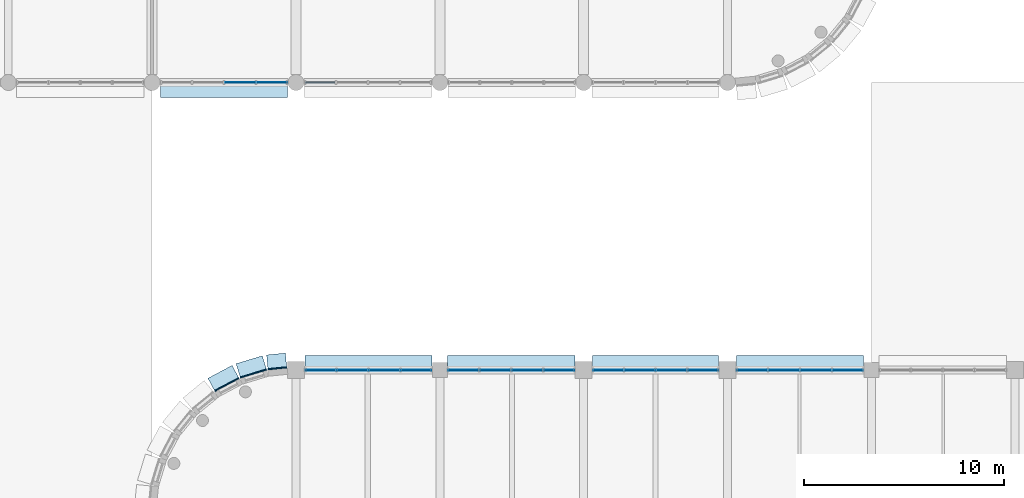
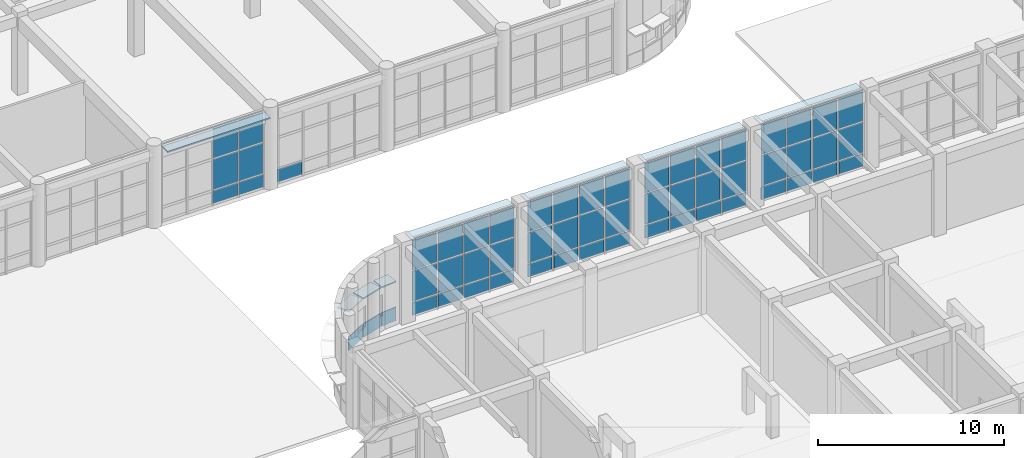
# One storey, part 117 of 160: 66 plates, 6 elements without a shape of their own.
"""IFC4 building model written with IfcOpenShell, lengths in metres."""

from ifc_helpers import new_model, si_unit, direction, frame, origin, origin_2d, place, context, subcontext, project, spatial, rectangle, extrude, material, layer, layer_set, type_object, element, aggregate, save


model = new_model("IFC4")

# Units and contexts
model_context = context("Model", 3, precision=1e-05, world=origin(), true_north=direction((0.0, 1.0)))
body_context = subcontext(model_context, "Body", "Model", "MODEL_VIEW")
ifc_project = project(units=[si_unit("LENGTHUNIT", "METRE"), si_unit("AREAUNIT", "SQUARE_METRE"), si_unit("VOLUMEUNIT", "CUBIC_METRE"), si_unit("PLANEANGLEUNIT", "RADIAN"), si_unit("MASSUNIT", "GRAM", prefix="KILO")], contexts=[model_context])

# Site, building, storey
site_placement = place(None, origin())
site = spatial("IfcSite", under=ifc_project, at=site_placement, CompositionType="ELEMENT")
building_placement = place(site_placement, origin())
building = spatial("IfcBuilding", under=site, at=building_placement, Name="Thalmaran Polytechnic", CompositionType="ELEMENT")
storey_placement = place(building_placement, origin())
storey = spatial("IfcBuildingStorey", under=building, at=storey_placement, Name="L00", CompositionType="ELEMENT", Elevation=0.0)

# Plates
ifc_material_1 = material(Name="Anodised aluminium spandrel band", Category="aluminium")
ifc_layer_1 = layer(ifc_material_1, 0.054931640625, Name="Anodised aluminium spandrel band")
ifc_layer_set_1 = layer_set([ifc_layer_1], Name="Anodised aluminium spandrel band")
plate_type_1 = type_object("IfcPlateType", Name="PT-BD01", PredefinedType="SHEET", material=ifc_layer_set_1)
for number, where, z_axis, x_axis, name in (
    (1, (61.33740234375, 35.278076171875, 0.02001953125), (0.0, 0.0, 1.0), (0.881921264348, 0.471396736826, 0.0), "Streamline Horizontal Spandrel Band L00-161"),
    (2, (62.667724609375, 35.8291015625, 0.02001953125), (0.0, 0.0, 1.0), (0.956940335732, 0.290284677254, 0.0), "Streamline Horizontal Spandrel Band L00-162"),
):
    element("IfcPlate", number, at=place(storey_placement, frame(where, z_axis=z_axis, x_axis=x_axis)), inside=storey, type_object=plate_type_1, Name=name, PredefinedType="SHEET", context=body_context, shape_type="SweptSolid", body=[
        extrude(rectangle(XDim=1.371337890625, YDim=0.054931640625, at=origin_2d()), origin(), (0.0, 0.0, 1.0), 0.8798828125),
    ])
plate_1_placement = place(storey_placement, frame((63.86865234375, 36.089111328125, 0.02001953125), z_axis=(0.0, 0.0, 1.0), x_axis=(0.995184726672, 0.09801714033, 0.0)))
element("IfcPlate", 3, at=plate_1_placement, inside=storey, type_object=plate_type_1, Name="Streamline Horizontal Spandrel Band L00-163", PredefinedType="SHEET", context=body_context, shape_type="SweptSolid", body=[
    extrude(rectangle(XDim=0.9462890625, YDim=0.054931640625, at=origin_2d()), origin(), (0.0, 0.0, 1.0), 0.8798828125),
])
ifc_material_2 = material(Name="Anodised aluminium sun-hood eyebrow", Category="aluminium")
ifc_layer_2 = layer(ifc_material_2, 0.0849609375, Name="Anodised aluminium sun-hood eyebrow")
ifc_layer_set_2 = layer_set([ifc_layer_2], Name="Anodised aluminium sun-hood eyebrow")
plate_type_2 = type_object("IfcPlateType", Name="PT-EB01", PredefinedType="SHEET", material=ifc_layer_set_2)
plate_2_placement = place(storey_placement, frame((61.199951171875, 50.0400390625, 4.987548828125), z_axis=(0.0, 0.0, 1.0), x_axis=(-1.0, 0.0, 0.0)))
element("IfcPlate", 4, at=plate_2_placement, inside=storey, type_object=plate_type_2, Name="Streamline Sun-Hood Eyebrow L00-CW039", PredefinedType="SHEET", context=body_context, shape_type="SweptSolid", body=[
    extrude(rectangle(XDim=6.360107421875, YDim=0.760009765625, at=origin_2d()), origin(), (0.0, 0.0, 1.0), 0.0849609375),
])
for number, where, z_axis, x_axis, name in (
    (5, (61.1748046875, 35.582275390625, 2.517578125), (0.0, 0.0, 1.0), (0.881921264348, 0.471396736826, 0.0), "Streamline Sun-Hood Eyebrow L00-161"),
    (6, (62.567626953125, 36.1591796875, 2.517578125), (0.0, 0.0, 1.0), (0.956940335732, 0.290284677254, 0.0), "Streamline Sun-Hood Eyebrow L00-162"),
):
    element("IfcPlate", number, at=place(storey_placement, frame(where, z_axis=z_axis, x_axis=x_axis)), inside=storey, type_object=plate_type_2, Name=name, PredefinedType="SHEET", context=body_context, shape_type="SweptSolid", body=[
        extrude(rectangle(XDim=1.371337890625, YDim=0.760009765625, at=origin_2d()), origin(), (0.0, 0.0, 1.0), 0.0849609375),
    ])
plate_3_placement = place(storey_placement, frame((63.834716796875, 36.432373046875, 2.517578125), z_axis=(0.0, 0.0, 1.0), x_axis=(0.995184726672, 0.09801714033, 0.0)))
element("IfcPlate", 7, at=plate_3_placement, inside=storey, type_object=plate_type_2, Name="Streamline Sun-Hood Eyebrow L00-163", PredefinedType="SHEET", context=body_context, shape_type="SweptSolid", body=[
    extrude(rectangle(XDim=0.9462890625, YDim=0.760009765625, at=origin_2d()), origin(), (0.0, 0.0, 1.0), 0.0849609375),
])
for number, where, z_axis, x_axis, name in (
    (8, (68.425048828125, 36.360107421875, 4.987548828125), (0.0, 0.0, 1.0), (1.0, 0.0, 0.0), "Streamline Sun-Hood Eyebrow L00-CW055"),
    (9, (75.574951171875, 36.360107421875, 4.987548828125), (0.0, 0.0, 1.0), (1.0, 0.0, 0.0), "Streamline Sun-Hood Eyebrow L00-CW056"),
):
    element("IfcPlate", number, at=place(storey_placement, frame(where, z_axis=z_axis, x_axis=x_axis)), inside=storey, type_object=plate_type_2, Name=name, PredefinedType="SHEET", context=body_context, shape_type="SweptSolid", body=[
        extrude(rectangle(XDim=6.360107421875, YDim=0.760009765625, at=origin_2d()), origin(), (0.0, 0.0, 1.0), 0.0849609375),
    ])
plate_4_placement = place(storey_placement, frame((82.800048828125, 36.360107421875, 4.987548828125), z_axis=(0.0, 0.0, 1.0), x_axis=(1.0, 0.0, 0.0)))
element("IfcPlate", 10, at=plate_4_placement, inside=storey, type_object=plate_type_2, Name="Streamline Sun-Hood Eyebrow L00-CW057", PredefinedType="SHEET", context=body_context, shape_type="SweptSolid", body=[
    extrude(rectangle(XDim=6.31005859375, YDim=0.760009765625, at=origin_2d()), origin(), (0.0, 0.0, 1.0), 0.0849609375),
])
plate_5_placement = place(storey_placement, frame((90.02490234375, 36.360107421875, 4.987548828125), z_axis=(0.0, 0.0, 1.0), x_axis=(1.0, 0.0, 0.0)))
element("IfcPlate", 11, at=plate_5_placement, inside=storey, type_object=plate_type_2, Name="Streamline Sun-Hood Eyebrow L00-CW058", PredefinedType="SHEET", context=body_context, shape_type="SweptSolid", body=[
    extrude(rectangle(XDim=6.360107421875, YDim=0.760009765625, at=origin_2d()), origin(), (0.0, 0.0, 1.0), 0.0849609375),
])

# Curtain wall, plates
ifc_material_3 = material(Name="Aluminium 6063-T6", Category="aluminium")
curtain_wall_type_1 = type_object("IfcCurtainWallType", Name="CW-UC01", PredefinedType="USERDEFINED", material=ifc_material_3)
curtain_wall_1_placement = place(storey_placement, origin())
curtain_wall_1 = element("IfcCurtainWall", 12, at=curtain_wall_1_placement, inside=storey, type_object=curtain_wall_type_1, Name="Curtain Wall CW-L00-055", ObjectType="UNITISED CURTAIN WALL", PredefinedType="USERDEFINED")
ifc_material_4 = material(Name="Solar-control double low-E glass", Category="glass")
ifc_layer_3 = layer(ifc_material_4, 0.035888671875, Name="Solar-control double low-E glass")
ifc_layer_set_3 = layer_set([ifc_layer_3], Name="Solar-control double low-E glass")
plate_type_3 = type_object("IfcPlateType", Name="PT-GL01", PredefinedType="CURTAIN_PANEL", material=ifc_layer_set_3)
plate_6_placement = place(storey_placement, frame((66.02490234375, 36.0, 1.0), z_axis=(0.0, 0.0, 1.0), x_axis=(1.0, 0.0, 0.0)))
plate_6 = element("IfcPlate", 13, at=plate_6_placement, type_object=plate_type_3, Name="CW-L00-055 Vision Panel 1-2", PredefinedType="CURTAIN_PANEL", context=body_context, shape_type="SweptSolid", body=[
    extrude(rectangle(XDim=1.5, YDim=0.035888671875, at=origin_2d()), origin(), (0.0, 0.0, 1.0), 1.985107421875),
])
plate_7_placement = place(storey_placement, frame((66.02490234375, 36.0, 3.06494140625), z_axis=(0.0, 0.0, 1.0), x_axis=(1.0, 0.0, 0.0)))
plate_7 = element("IfcPlate", 14, at=plate_7_placement, type_object=plate_type_3, Name="CW-L00-055 Vision Panel 1-3", PredefinedType="CURTAIN_PANEL", context=body_context, shape_type="SweptSolid", body=[
    extrude(rectangle(XDim=1.5, YDim=0.035888671875, at=origin_2d()), origin(), (0.0, 0.0, 1.0), 1.925048828125),
])
plate_8_placement = place(storey_placement, frame((67.625, 36.0, 1.0), z_axis=(0.0, 0.0, 1.0), x_axis=(1.0, 0.0, 0.0)))
plate_8 = element("IfcPlate", 15, at=plate_8_placement, type_object=plate_type_3, Name="CW-L00-055 Vision Panel 2-2", PredefinedType="CURTAIN_PANEL", context=body_context, shape_type="SweptSolid", body=[
    extrude(rectangle(XDim=1.5, YDim=0.035888671875, at=origin_2d()), origin(), (0.0, 0.0, 1.0), 1.985107421875),
])
plate_9_placement = place(storey_placement, frame((67.625, 36.0, 3.06494140625), z_axis=(0.0, 0.0, 1.0), x_axis=(1.0, 0.0, 0.0)))
plate_9 = element("IfcPlate", 16, at=plate_9_placement, type_object=plate_type_3, Name="CW-L00-055 Vision Panel 2-3", PredefinedType="CURTAIN_PANEL", context=body_context, shape_type="SweptSolid", body=[
    extrude(rectangle(XDim=1.5, YDim=0.035888671875, at=origin_2d()), origin(), (0.0, 0.0, 1.0), 1.925048828125),
])
plate_10_placement = place(storey_placement, frame((69.22509765625, 36.0, 1.0), z_axis=(0.0, 0.0, 1.0), x_axis=(1.0, 0.0, 0.0)))
plate_10 = element("IfcPlate", 17, at=plate_10_placement, type_object=plate_type_3, Name="CW-L00-055 Vision Panel 3-2", PredefinedType="CURTAIN_PANEL", context=body_context, shape_type="SweptSolid", body=[
    extrude(rectangle(XDim=1.5, YDim=0.035888671875, at=origin_2d()), origin(), (0.0, 0.0, 1.0), 1.985107421875),
])
plate_11_placement = place(storey_placement, frame((69.22509765625, 36.0, 3.06494140625), z_axis=(0.0, 0.0, 1.0), x_axis=(1.0, 0.0, 0.0)))
plate_11 = element("IfcPlate", 18, at=plate_11_placement, type_object=plate_type_3, Name="CW-L00-055 Vision Panel 3-3", PredefinedType="CURTAIN_PANEL", context=body_context, shape_type="SweptSolid", body=[
    extrude(rectangle(XDim=1.5, YDim=0.035888671875, at=origin_2d()), origin(), (0.0, 0.0, 1.0), 1.925048828125),
])
plate_12_placement = place(storey_placement, frame((70.824951171875, 36.0, 1.0), z_axis=(0.0, 0.0, 1.0), x_axis=(1.0, 0.0, 0.0)))
plate_12 = element("IfcPlate", 19, at=plate_12_placement, type_object=plate_type_3, Name="CW-L00-055 Vision Panel 4-2", PredefinedType="CURTAIN_PANEL", context=body_context, shape_type="SweptSolid", body=[
    extrude(rectangle(XDim=1.5, YDim=0.035888671875, at=origin_2d()), origin(), (0.0, 0.0, 1.0), 1.985107421875),
])
plate_13_placement = place(storey_placement, frame((70.824951171875, 36.0, 3.06494140625), z_axis=(0.0, 0.0, 1.0), x_axis=(1.0, 0.0, 0.0)))
plate_13 = element("IfcPlate", 20, at=plate_13_placement, type_object=plate_type_3, Name="CW-L00-055 Vision Panel 4-3", PredefinedType="CURTAIN_PANEL", context=body_context, shape_type="SweptSolid", body=[
    extrude(rectangle(XDim=1.5, YDim=0.035888671875, at=origin_2d()), origin(), (0.0, 0.0, 1.0), 1.925048828125),
])

curtain_wall_2_placement = place(storey_placement, origin())
curtain_wall_2 = element("IfcCurtainWall", 21, at=curtain_wall_2_placement, inside=storey, type_object=curtain_wall_type_1, Name="Curtain Wall CW-L00-056", ObjectType="UNITISED CURTAIN WALL", PredefinedType="USERDEFINED")
ifc_layer_4 = layer(ifc_material_4, 0.035888671875, Name="Solar-control double low-E glass")
ifc_layer_set_4 = layer_set([ifc_layer_4], Name="Solar-control double low-E glass")
plate_type_4 = type_object("IfcPlateType", Name="PT-GL02", PredefinedType="CURTAIN_PANEL", material=ifc_layer_set_4)
plate_14_placement = place(storey_placement, frame((73.175048828125, 36.0, 1.0), z_axis=(0.0, 0.0, 1.0), x_axis=(1.0, 0.0, 0.0)))
plate_14 = element("IfcPlate", 22, at=plate_14_placement, type_object=plate_type_4, Name="CW-L00-056 Vision Panel 1-2", PredefinedType="CURTAIN_PANEL", context=body_context, shape_type="SweptSolid", body=[
    extrude(rectangle(XDim=1.5, YDim=0.035888671875, at=origin_2d()), origin(), (0.0, 0.0, 1.0), 1.985107421875),
])
plate_15_placement = place(storey_placement, frame((73.175048828125, 36.0, 3.06494140625), z_axis=(0.0, 0.0, 1.0), x_axis=(1.0, 0.0, 0.0)))
plate_15 = element("IfcPlate", 23, at=plate_15_placement, type_object=plate_type_4, Name="CW-L00-056 Vision Panel 1-3", PredefinedType="CURTAIN_PANEL", context=body_context, shape_type="SweptSolid", body=[
    extrude(rectangle(XDim=1.5, YDim=0.035888671875, at=origin_2d()), origin(), (0.0, 0.0, 1.0), 1.925048828125),
])
plate_16_placement = place(storey_placement, frame((74.77490234375, 36.0, 1.0), z_axis=(0.0, 0.0, 1.0), x_axis=(1.0, 0.0, 0.0)))
plate_16 = element("IfcPlate", 24, at=plate_16_placement, type_object=plate_type_4, Name="CW-L00-056 Vision Panel 2-2", PredefinedType="CURTAIN_PANEL", context=body_context, shape_type="SweptSolid", body=[
    extrude(rectangle(XDim=1.5, YDim=0.035888671875, at=origin_2d()), origin(), (0.0, 0.0, 1.0), 1.985107421875),
])
plate_17_placement = place(storey_placement, frame((74.77490234375, 36.0, 3.06494140625), z_axis=(0.0, 0.0, 1.0), x_axis=(1.0, 0.0, 0.0)))
plate_17 = element("IfcPlate", 25, at=plate_17_placement, type_object=plate_type_4, Name="CW-L00-056 Vision Panel 2-3", PredefinedType="CURTAIN_PANEL", context=body_context, shape_type="SweptSolid", body=[
    extrude(rectangle(XDim=1.5, YDim=0.035888671875, at=origin_2d()), origin(), (0.0, 0.0, 1.0), 1.925048828125),
])
plate_18_placement = place(storey_placement, frame((76.375, 36.0, 1.0), z_axis=(0.0, 0.0, 1.0), x_axis=(1.0, 0.0, 0.0)))
plate_18 = element("IfcPlate", 26, at=plate_18_placement, type_object=plate_type_4, Name="CW-L00-056 Vision Panel 3-2", PredefinedType="CURTAIN_PANEL", context=body_context, shape_type="SweptSolid", body=[
    extrude(rectangle(XDim=1.5, YDim=0.035888671875, at=origin_2d()), origin(), (0.0, 0.0, 1.0), 1.985107421875),
])
plate_19_placement = place(storey_placement, frame((76.375, 36.0, 3.06494140625), z_axis=(0.0, 0.0, 1.0), x_axis=(1.0, 0.0, 0.0)))
plate_19 = element("IfcPlate", 27, at=plate_19_placement, type_object=plate_type_4, Name="CW-L00-056 Vision Panel 3-3", PredefinedType="CURTAIN_PANEL", context=body_context, shape_type="SweptSolid", body=[
    extrude(rectangle(XDim=1.5, YDim=0.035888671875, at=origin_2d()), origin(), (0.0, 0.0, 1.0), 1.925048828125),
])
plate_20_placement = place(storey_placement, frame((77.97509765625, 36.0, 1.0), z_axis=(0.0, 0.0, 1.0), x_axis=(1.0, 0.0, 0.0)))
plate_20 = element("IfcPlate", 28, at=plate_20_placement, type_object=plate_type_4, Name="CW-L00-056 Vision Panel 4-2", PredefinedType="CURTAIN_PANEL", context=body_context, shape_type="SweptSolid", body=[
    extrude(rectangle(XDim=1.5, YDim=0.035888671875, at=origin_2d()), origin(), (0.0, 0.0, 1.0), 1.985107421875),
])
plate_21_placement = place(storey_placement, frame((77.97509765625, 36.0, 3.06494140625), z_axis=(0.0, 0.0, 1.0), x_axis=(1.0, 0.0, 0.0)))
plate_21 = element("IfcPlate", 29, at=plate_21_placement, type_object=plate_type_4, Name="CW-L00-056 Vision Panel 4-3", PredefinedType="CURTAIN_PANEL", context=body_context, shape_type="SweptSolid", body=[
    extrude(rectangle(XDim=1.5, YDim=0.035888671875, at=origin_2d()), origin(), (0.0, 0.0, 1.0), 1.925048828125),
])

curtain_wall_3_placement = place(storey_placement, origin())
curtain_wall_3 = element("IfcCurtainWall", 30, at=curtain_wall_3_placement, inside=storey, type_object=curtain_wall_type_1, Name="Curtain Wall CW-L00-057", ObjectType="UNITISED CURTAIN WALL", PredefinedType="USERDEFINED")
ifc_layer_5 = layer(ifc_material_4, 0.035888671875, Name="Solar-control double low-E glass")
ifc_layer_set_5 = layer_set([ifc_layer_5], Name="Solar-control double low-E glass")
plate_type_5 = type_object("IfcPlateType", Name="PT-GL03", PredefinedType="CURTAIN_PANEL", material=ifc_layer_set_5)
plate_22_placement = place(storey_placement, frame((80.418701171875, 36.0, 1.0), z_axis=(0.0, 0.0, 1.0), x_axis=(1.0, 0.0, 0.0)))
plate_22 = element("IfcPlate", 31, at=plate_22_placement, type_object=plate_type_5, Name="CW-L00-057 Vision Panel 1-2", PredefinedType="CURTAIN_PANEL", context=body_context, shape_type="SweptSolid", body=[
    extrude(rectangle(XDim=1.487548828125, YDim=0.035888671875, at=origin_2d()), origin(), (0.0, 0.0, 1.0), 1.985107421875),
])
plate_23_placement = place(storey_placement, frame((80.418701171875, 36.0, 3.06494140625), z_axis=(0.0, 0.0, 1.0), x_axis=(1.0, 0.0, 0.0)))
plate_23 = element("IfcPlate", 32, at=plate_23_placement, type_object=plate_type_5, Name="CW-L00-057 Vision Panel 1-3", PredefinedType="CURTAIN_PANEL", context=body_context, shape_type="SweptSolid", body=[
    extrude(rectangle(XDim=1.487548828125, YDim=0.035888671875, at=origin_2d()), origin(), (0.0, 0.0, 1.0), 1.925048828125),
])
plate_24_placement = place(storey_placement, frame((82.00634765625, 36.0, 1.0), z_axis=(0.0, 0.0, 1.0), x_axis=(1.0, 0.0, 0.0)))
plate_24 = element("IfcPlate", 33, at=plate_24_placement, type_object=plate_type_5, Name="CW-L00-057 Vision Panel 2-2", PredefinedType="CURTAIN_PANEL", context=body_context, shape_type="SweptSolid", body=[
    extrude(rectangle(XDim=1.487548828125, YDim=0.035888671875, at=origin_2d()), origin(), (0.0, 0.0, 1.0), 1.985107421875),
])
plate_25_placement = place(storey_placement, frame((82.00634765625, 36.0, 3.06494140625), z_axis=(0.0, 0.0, 1.0), x_axis=(1.0, 0.0, 0.0)))
plate_25 = element("IfcPlate", 34, at=plate_25_placement, type_object=plate_type_5, Name="CW-L00-057 Vision Panel 2-3", PredefinedType="CURTAIN_PANEL", context=body_context, shape_type="SweptSolid", body=[
    extrude(rectangle(XDim=1.487548828125, YDim=0.035888671875, at=origin_2d()), origin(), (0.0, 0.0, 1.0), 1.925048828125),
])
plate_26_placement = place(storey_placement, frame((83.59375, 36.0, 1.0), z_axis=(0.0, 0.0, 1.0), x_axis=(1.0, 0.0, 0.0)))
plate_26 = element("IfcPlate", 35, at=plate_26_placement, type_object=plate_type_5, Name="CW-L00-057 Vision Panel 3-2", PredefinedType="CURTAIN_PANEL", context=body_context, shape_type="SweptSolid", body=[
    extrude(rectangle(XDim=1.487548828125, YDim=0.035888671875, at=origin_2d()), origin(), (0.0, 0.0, 1.0), 1.985107421875),
])
plate_27_placement = place(storey_placement, frame((83.59375, 36.0, 3.06494140625), z_axis=(0.0, 0.0, 1.0), x_axis=(1.0, 0.0, 0.0)))
plate_27 = element("IfcPlate", 36, at=plate_27_placement, type_object=plate_type_5, Name="CW-L00-057 Vision Panel 3-3", PredefinedType="CURTAIN_PANEL", context=body_context, shape_type="SweptSolid", body=[
    extrude(rectangle(XDim=1.487548828125, YDim=0.035888671875, at=origin_2d()), origin(), (0.0, 0.0, 1.0), 1.925048828125),
])
plate_28_placement = place(storey_placement, frame((85.18115234375, 36.0, 1.0), z_axis=(0.0, 0.0, 1.0), x_axis=(1.0, 0.0, 0.0)))
plate_28 = element("IfcPlate", 37, at=plate_28_placement, type_object=plate_type_5, Name="CW-L00-057 Vision Panel 4-2", PredefinedType="CURTAIN_PANEL", context=body_context, shape_type="SweptSolid", body=[
    extrude(rectangle(XDim=1.487548828125, YDim=0.035888671875, at=origin_2d()), origin(), (0.0, 0.0, 1.0), 1.985107421875),
])
plate_29_placement = place(storey_placement, frame((85.18115234375, 36.0, 3.06494140625), z_axis=(0.0, 0.0, 1.0), x_axis=(1.0, 0.0, 0.0)))
plate_29 = element("IfcPlate", 38, at=plate_29_placement, type_object=plate_type_5, Name="CW-L00-057 Vision Panel 4-3", PredefinedType="CURTAIN_PANEL", context=body_context, shape_type="SweptSolid", body=[
    extrude(rectangle(XDim=1.487548828125, YDim=0.035888671875, at=origin_2d()), origin(), (0.0, 0.0, 1.0), 1.925048828125),
])

curtain_wall_4_placement = place(storey_placement, origin())
curtain_wall_4 = element("IfcCurtainWall", 39, at=curtain_wall_4_placement, inside=storey, type_object=curtain_wall_type_1, Name="Curtain Wall CW-L00-058", ObjectType="UNITISED CURTAIN WALL", PredefinedType="USERDEFINED")
ifc_layer_6 = layer(ifc_material_4, 0.035888671875, Name="Solar-control double low-E glass")
ifc_layer_set_6 = layer_set([ifc_layer_6], Name="Solar-control double low-E glass")
plate_type_6 = type_object("IfcPlateType", Name="PT-GL04", PredefinedType="CURTAIN_PANEL", material=ifc_layer_set_6)
plate_30_placement = place(storey_placement, frame((87.625, 36.0, 1.0), z_axis=(0.0, 0.0, 1.0), x_axis=(1.0, 0.0, 0.0)))
plate_30 = element("IfcPlate", 40, at=plate_30_placement, type_object=plate_type_6, Name="CW-L00-058 Vision Panel 1-2", PredefinedType="CURTAIN_PANEL", context=body_context, shape_type="SweptSolid", body=[
    extrude(rectangle(XDim=1.5, YDim=0.035888671875, at=origin_2d()), origin(), (0.0, 0.0, 1.0), 1.985107421875),
])
plate_31_placement = place(storey_placement, frame((87.625, 36.0, 3.06494140625), z_axis=(0.0, 0.0, 1.0), x_axis=(1.0, 0.0, 0.0)))
plate_31 = element("IfcPlate", 41, at=plate_31_placement, type_object=plate_type_6, Name="CW-L00-058 Vision Panel 1-3", PredefinedType="CURTAIN_PANEL", context=body_context, shape_type="SweptSolid", body=[
    extrude(rectangle(XDim=1.5, YDim=0.035888671875, at=origin_2d()), origin(), (0.0, 0.0, 1.0), 1.925048828125),
])
plate_32_placement = place(storey_placement, frame((89.22509765625, 36.0, 1.0), z_axis=(0.0, 0.0, 1.0), x_axis=(1.0, 0.0, 0.0)))
plate_32 = element("IfcPlate", 42, at=plate_32_placement, type_object=plate_type_6, Name="CW-L00-058 Vision Panel 2-2", PredefinedType="CURTAIN_PANEL", context=body_context, shape_type="SweptSolid", body=[
    extrude(rectangle(XDim=1.5, YDim=0.035888671875, at=origin_2d()), origin(), (0.0, 0.0, 1.0), 1.985107421875),
])
plate_33_placement = place(storey_placement, frame((89.22509765625, 36.0, 3.06494140625), z_axis=(0.0, 0.0, 1.0), x_axis=(1.0, 0.0, 0.0)))
plate_33 = element("IfcPlate", 43, at=plate_33_placement, type_object=plate_type_6, Name="CW-L00-058 Vision Panel 2-3", PredefinedType="CURTAIN_PANEL", context=body_context, shape_type="SweptSolid", body=[
    extrude(rectangle(XDim=1.5, YDim=0.035888671875, at=origin_2d()), origin(), (0.0, 0.0, 1.0), 1.925048828125),
])
plate_34_placement = place(storey_placement, frame((90.824951171875, 36.0, 1.0), z_axis=(0.0, 0.0, 1.0), x_axis=(1.0, 0.0, 0.0)))
plate_34 = element("IfcPlate", 44, at=plate_34_placement, type_object=plate_type_6, Name="CW-L00-058 Vision Panel 3-2", PredefinedType="CURTAIN_PANEL", context=body_context, shape_type="SweptSolid", body=[
    extrude(rectangle(XDim=1.5, YDim=0.035888671875, at=origin_2d()), origin(), (0.0, 0.0, 1.0), 1.985107421875),
])
plate_35_placement = place(storey_placement, frame((90.824951171875, 36.0, 3.06494140625), z_axis=(0.0, 0.0, 1.0), x_axis=(1.0, 0.0, 0.0)))
plate_35 = element("IfcPlate", 45, at=plate_35_placement, type_object=plate_type_6, Name="CW-L00-058 Vision Panel 3-3", PredefinedType="CURTAIN_PANEL", context=body_context, shape_type="SweptSolid", body=[
    extrude(rectangle(XDim=1.5, YDim=0.035888671875, at=origin_2d()), origin(), (0.0, 0.0, 1.0), 1.925048828125),
])
plate_36_placement = place(storey_placement, frame((92.425048828125, 36.0, 1.0), z_axis=(0.0, 0.0, 1.0), x_axis=(1.0, 0.0, 0.0)))
plate_36 = element("IfcPlate", 46, at=plate_36_placement, type_object=plate_type_6, Name="CW-L00-058 Vision Panel 4-2", PredefinedType="CURTAIN_PANEL", context=body_context, shape_type="SweptSolid", body=[
    extrude(rectangle(XDim=1.5, YDim=0.035888671875, at=origin_2d()), origin(), (0.0, 0.0, 1.0), 1.985107421875),
])
plate_37_placement = place(storey_placement, frame((92.425048828125, 36.0, 3.06494140625), z_axis=(0.0, 0.0, 1.0), x_axis=(1.0, 0.0, 0.0)))
plate_37 = element("IfcPlate", 47, at=plate_37_placement, type_object=plate_type_6, Name="CW-L00-058 Vision Panel 4-3", PredefinedType="CURTAIN_PANEL", context=body_context, shape_type="SweptSolid", body=[
    extrude(rectangle(XDim=1.5, YDim=0.035888671875, at=origin_2d()), origin(), (0.0, 0.0, 1.0), 1.925048828125),
])

curtain_wall_type_2 = type_object("IfcCurtainWallType", Name="CW-SC01", PredefinedType="USERDEFINED", material=ifc_material_3)
curtain_wall_5_placement = place(storey_placement, origin())
curtain_wall_5 = element("IfcCurtainWall", 48, at=curtain_wall_5_placement, inside=storey, type_object=curtain_wall_type_2, Name="Curtain Wall CW-L00-039", ObjectType="STICK CURTAIN WALL", PredefinedType="USERDEFINED")
ifc_layer_7 = layer(ifc_material_4, 0.035888671875, Name="Solar-control double low-E glass")
ifc_layer_set_7 = layer_set([ifc_layer_7], Name="Solar-control double low-E glass")
plate_type_7 = type_object("IfcPlateType", Name="PT-GL05", PredefinedType="CURTAIN_PANEL", material=ifc_layer_set_7)
plate_38_placement = place(storey_placement, frame((63.60009765625, 50.39990234375, 1.0), z_axis=(0.0, 0.0, 1.0), x_axis=(-1.0, 0.0, 0.0)))
plate_38 = element("IfcPlate", 49, at=plate_38_placement, type_object=plate_type_7, Name="CW-L00-039 Vision Panel 1-2", PredefinedType="CURTAIN_PANEL", context=body_context, shape_type="SweptSolid", body=[
    extrude(rectangle(XDim=1.5, YDim=0.035888671875, at=origin_2d()), origin(), (0.0, 0.0, 1.0), 1.985107421875),
])
plate_39_placement = place(storey_placement, frame((63.60009765625, 50.39990234375, 3.06494140625), z_axis=(0.0, 0.0, 1.0), x_axis=(-1.0, 0.0, 0.0)))
plate_39 = element("IfcPlate", 50, at=plate_39_placement, type_object=plate_type_7, Name="CW-L00-039 Vision Panel 1-3", PredefinedType="CURTAIN_PANEL", context=body_context, shape_type="SweptSolid", body=[
    extrude(rectangle(XDim=1.5, YDim=0.035888671875, at=origin_2d()), origin(), (0.0, 0.0, 1.0), 1.925048828125),
])
plate_40_placement = place(storey_placement, frame((62.0, 50.39990234375, 1.0), z_axis=(0.0, 0.0, 1.0), x_axis=(-1.0, 0.0, 0.0)))
plate_40 = element("IfcPlate", 51, at=plate_40_placement, type_object=plate_type_7, Name="CW-L00-039 Vision Panel 2-2", PredefinedType="CURTAIN_PANEL", context=body_context, shape_type="SweptSolid", body=[
    extrude(rectangle(XDim=1.5, YDim=0.035888671875, at=origin_2d()), origin(), (0.0, 0.0, 1.0), 1.985107421875),
])
plate_41_placement = place(storey_placement, frame((62.0, 50.39990234375, 3.06494140625), z_axis=(0.0, 0.0, 1.0), x_axis=(-1.0, 0.0, 0.0)))
plate_41 = element("IfcPlate", 52, at=plate_41_placement, type_object=plate_type_7, Name="CW-L00-039 Vision Panel 2-3", PredefinedType="CURTAIN_PANEL", context=body_context, shape_type="SweptSolid", body=[
    extrude(rectangle(XDim=1.5, YDim=0.035888671875, at=origin_2d()), origin(), (0.0, 0.0, 1.0), 1.925048828125),
])
ifc_material_5 = material(Name="Insulated anodised aluminium spandrel", Category="aluminium")
ifc_layer_8 = layer(ifc_material_5, 0.06005859375, Name="Insulated anodised aluminium spandrel")
ifc_layer_set_8 = layer_set([ifc_layer_8], Name="Insulated anodised aluminium spandrel")
plate_type_8 = type_object("IfcPlateType", Name="PT-SP01", PredefinedType="CURTAIN_PANEL", material=ifc_layer_set_8)
plate_42_placement = place(storey_placement, frame((63.60009765625, 50.39990234375, 0.10009765625), z_axis=(0.0, 0.0, 1.0), x_axis=(-1.0, 0.0, 0.0)))
plate_42 = element("IfcPlate", 53, at=plate_42_placement, type_object=plate_type_8, Name="CW-L00-039 Spandrel Panel 1-1", PredefinedType="CURTAIN_PANEL", context=body_context, shape_type="SweptSolid", body=[
    extrude(rectangle(XDim=1.5, YDim=0.06005859375, at=origin_2d()), origin(), (0.0, 0.0, 1.0), 0.820068359375),
])
plate_43_placement = place(storey_placement, frame((62.0, 50.39990234375, 0.10009765625), z_axis=(0.0, 0.0, 1.0), x_axis=(-1.0, 0.0, 0.0)))
plate_43 = element("IfcPlate", 54, at=plate_43_placement, type_object=plate_type_8, Name="CW-L00-039 Spandrel Panel 2-1", PredefinedType="CURTAIN_PANEL", context=body_context, shape_type="SweptSolid", body=[
    extrude(rectangle(XDim=1.5, YDim=0.06005859375, at=origin_2d()), origin(), (0.0, 0.0, 1.0), 0.820068359375),
])
aggregate(curtain_wall_5, [plate_42, plate_38, plate_39, plate_43, plate_40, plate_41])

# Plate
plate_44_placement = place(storey_placement, frame((80.418701171875, 36.0, 0.10009765625), z_axis=(0.0, 0.0, 1.0), x_axis=(1.0, 0.0, 0.0)))
plate_44 = element("IfcPlate", 55, at=plate_44_placement, type_object=plate_type_8, Name="CW-L00-057 Spandrel Panel 1-1", PredefinedType="CURTAIN_PANEL", context=body_context, shape_type="SweptSolid", body=[
    extrude(rectangle(XDim=1.487548828125, YDim=0.06005859375, at=origin_2d()), origin(), (0.0, 0.0, 1.0), 0.820068359375),
])

plate_45_placement = place(storey_placement, frame((82.00634765625, 36.0, 0.10009765625), z_axis=(0.0, 0.0, 1.0), x_axis=(1.0, 0.0, 0.0)))
plate_45 = element("IfcPlate", 56, at=plate_45_placement, type_object=plate_type_8, Name="CW-L00-057 Spandrel Panel 2-1", PredefinedType="CURTAIN_PANEL", context=body_context, shape_type="SweptSolid", body=[
    extrude(rectangle(XDim=1.487548828125, YDim=0.06005859375, at=origin_2d()), origin(), (0.0, 0.0, 1.0), 0.820068359375),
])

plate_46_placement = place(storey_placement, frame((83.59375, 36.0, 0.10009765625), z_axis=(0.0, 0.0, 1.0), x_axis=(1.0, 0.0, 0.0)))
plate_46 = element("IfcPlate", 57, at=plate_46_placement, type_object=plate_type_8, Name="CW-L00-057 Spandrel Panel 3-1", PredefinedType="CURTAIN_PANEL", context=body_context, shape_type="SweptSolid", body=[
    extrude(rectangle(XDim=1.487548828125, YDim=0.06005859375, at=origin_2d()), origin(), (0.0, 0.0, 1.0), 0.820068359375),
])

plate_47_placement = place(storey_placement, frame((85.18115234375, 36.0, 0.10009765625), z_axis=(0.0, 0.0, 1.0), x_axis=(1.0, 0.0, 0.0)))
plate_47 = element("IfcPlate", 58, at=plate_47_placement, type_object=plate_type_8, Name="CW-L00-057 Spandrel Panel 4-1", PredefinedType="CURTAIN_PANEL", context=body_context, shape_type="SweptSolid", body=[
    extrude(rectangle(XDim=1.487548828125, YDim=0.06005859375, at=origin_2d()), origin(), (0.0, 0.0, 1.0), 0.820068359375),
])

aggregate(curtain_wall_3, [plate_44, plate_22, plate_23, plate_45, plate_24, plate_25, plate_46, plate_26, plate_27, plate_47, plate_28, plate_29])

ifc_layer_9 = layer(ifc_material_5, 0.06005859375, Name="Insulated anodised aluminium spandrel")
ifc_layer_set_9 = layer_set([ifc_layer_9], Name="Insulated anodised aluminium spandrel")
plate_type_9 = type_object("IfcPlateType", Name="PT-SP02", PredefinedType="CURTAIN_PANEL", material=ifc_layer_set_9)
plate_48_placement = place(storey_placement, frame((66.02490234375, 36.0, 0.10009765625), z_axis=(0.0, 0.0, 1.0), x_axis=(1.0, 0.0, 0.0)))
plate_48 = element("IfcPlate", 59, at=plate_48_placement, type_object=plate_type_9, Name="CW-L00-055 Spandrel Panel 1-1", PredefinedType="CURTAIN_PANEL", context=body_context, shape_type="SweptSolid", body=[
    extrude(rectangle(XDim=1.5, YDim=0.06005859375, at=origin_2d()), origin(), (0.0, 0.0, 1.0), 0.820068359375),
])

plate_49_placement = place(storey_placement, frame((67.625, 36.0, 0.10009765625), z_axis=(0.0, 0.0, 1.0), x_axis=(1.0, 0.0, 0.0)))
plate_49 = element("IfcPlate", 60, at=plate_49_placement, type_object=plate_type_9, Name="CW-L00-055 Spandrel Panel 2-1", PredefinedType="CURTAIN_PANEL", context=body_context, shape_type="SweptSolid", body=[
    extrude(rectangle(XDim=1.5, YDim=0.06005859375, at=origin_2d()), origin(), (0.0, 0.0, 1.0), 0.820068359375),
])

plate_50_placement = place(storey_placement, frame((69.22509765625, 36.0, 0.10009765625), z_axis=(0.0, 0.0, 1.0), x_axis=(1.0, 0.0, 0.0)))
plate_50 = element("IfcPlate", 61, at=plate_50_placement, type_object=plate_type_9, Name="CW-L00-055 Spandrel Panel 3-1", PredefinedType="CURTAIN_PANEL", context=body_context, shape_type="SweptSolid", body=[
    extrude(rectangle(XDim=1.5, YDim=0.06005859375, at=origin_2d()), origin(), (0.0, 0.0, 1.0), 0.820068359375),
])

plate_51_placement = place(storey_placement, frame((70.824951171875, 36.0, 0.10009765625), z_axis=(0.0, 0.0, 1.0), x_axis=(1.0, 0.0, 0.0)))
plate_51 = element("IfcPlate", 62, at=plate_51_placement, type_object=plate_type_9, Name="CW-L00-055 Spandrel Panel 4-1", PredefinedType="CURTAIN_PANEL", context=body_context, shape_type="SweptSolid", body=[
    extrude(rectangle(XDim=1.5, YDim=0.06005859375, at=origin_2d()), origin(), (0.0, 0.0, 1.0), 0.820068359375),
])

aggregate(curtain_wall_1, [plate_48, plate_6, plate_7, plate_49, plate_8, plate_9, plate_50, plate_10, plate_11, plate_51, plate_12, plate_13])

plate_52_placement = place(storey_placement, frame((87.625, 36.0, 0.10009765625), z_axis=(0.0, 0.0, 1.0), x_axis=(1.0, 0.0, 0.0)))
plate_52 = element("IfcPlate", 63, at=plate_52_placement, type_object=plate_type_9, Name="CW-L00-058 Spandrel Panel 1-1", PredefinedType="CURTAIN_PANEL", context=body_context, shape_type="SweptSolid", body=[
    extrude(rectangle(XDim=1.5, YDim=0.06005859375, at=origin_2d()), origin(), (0.0, 0.0, 1.0), 0.820068359375),
])

plate_53_placement = place(storey_placement, frame((89.22509765625, 36.0, 0.10009765625), z_axis=(0.0, 0.0, 1.0), x_axis=(1.0, 0.0, 0.0)))
plate_53 = element("IfcPlate", 64, at=plate_53_placement, type_object=plate_type_9, Name="CW-L00-058 Spandrel Panel 2-1", PredefinedType="CURTAIN_PANEL", context=body_context, shape_type="SweptSolid", body=[
    extrude(rectangle(XDim=1.5, YDim=0.06005859375, at=origin_2d()), origin(), (0.0, 0.0, 1.0), 0.820068359375),
])

plate_54_placement = place(storey_placement, frame((90.824951171875, 36.0, 0.10009765625), z_axis=(0.0, 0.0, 1.0), x_axis=(1.0, 0.0, 0.0)))
plate_54 = element("IfcPlate", 65, at=plate_54_placement, type_object=plate_type_9, Name="CW-L00-058 Spandrel Panel 3-1", PredefinedType="CURTAIN_PANEL", context=body_context, shape_type="SweptSolid", body=[
    extrude(rectangle(XDim=1.5, YDim=0.06005859375, at=origin_2d()), origin(), (0.0, 0.0, 1.0), 0.820068359375),
])

plate_55_placement = place(storey_placement, frame((92.425048828125, 36.0, 0.10009765625), z_axis=(0.0, 0.0, 1.0), x_axis=(1.0, 0.0, 0.0)))
plate_55 = element("IfcPlate", 66, at=plate_55_placement, type_object=plate_type_9, Name="CW-L00-058 Spandrel Panel 4-1", PredefinedType="CURTAIN_PANEL", context=body_context, shape_type="SweptSolid", body=[
    extrude(rectangle(XDim=1.5, YDim=0.06005859375, at=origin_2d()), origin(), (0.0, 0.0, 1.0), 0.820068359375),
])

aggregate(curtain_wall_4, [plate_52, plate_30, plate_31, plate_53, plate_32, plate_33, plate_54, plate_34, plate_35, plate_55, plate_36, plate_37])

# Curtain wall, plate
curtain_wall_6_placement = place(storey_placement, origin())
curtain_wall_6 = element("IfcCurtainWall", 67, at=curtain_wall_6_placement, inside=storey, type_object=curtain_wall_type_2, Name="Curtain Wall CW-L00-038", ObjectType="STICK CURTAIN WALL", PredefinedType="USERDEFINED")
ifc_layer_10 = layer(ifc_material_5, 0.06005859375, Name="Insulated anodised aluminium spandrel")
ifc_layer_set_10 = layer_set([ifc_layer_10], Name="Insulated anodised aluminium spandrel")
plate_type_10 = type_object("IfcPlateType", Name="PT-SP03", PredefinedType="CURTAIN_PANEL", material=ifc_layer_set_10)
plate_56_placement = place(storey_placement, frame((66.0, 50.39990234375, 0.10009765625), z_axis=(0.0, 0.0, 1.0), x_axis=(-1.0, 0.0, 0.0)))
plate_56 = element("IfcPlate", 68, at=plate_56_placement, type_object=plate_type_10, Name="CW-L00-038 Spandrel Panel 4-1", PredefinedType="CURTAIN_PANEL", context=body_context, shape_type="SweptSolid", body=[
    extrude(rectangle(XDim=1.5, YDim=0.06005859375, at=origin_2d()), origin(), (0.0, 0.0, 1.0), 0.820068359375),
])
aggregate(curtain_wall_6, [plate_56])

# Plate
plate_57_placement = place(storey_placement, frame((73.175048828125, 36.0, 0.10009765625), z_axis=(0.0, 0.0, 1.0), x_axis=(1.0, 0.0, 0.0)))
plate_57 = element("IfcPlate", 69, at=plate_57_placement, type_object=plate_type_10, Name="CW-L00-056 Spandrel Panel 1-1", PredefinedType="CURTAIN_PANEL", context=body_context, shape_type="SweptSolid", body=[
    extrude(rectangle(XDim=1.5, YDim=0.06005859375, at=origin_2d()), origin(), (0.0, 0.0, 1.0), 0.820068359375),
])

plate_58_placement = place(storey_placement, frame((74.77490234375, 36.0, 0.10009765625), z_axis=(0.0, 0.0, 1.0), x_axis=(1.0, 0.0, 0.0)))
plate_58 = element("IfcPlate", 70, at=plate_58_placement, type_object=plate_type_10, Name="CW-L00-056 Spandrel Panel 2-1", PredefinedType="CURTAIN_PANEL", context=body_context, shape_type="SweptSolid", body=[
    extrude(rectangle(XDim=1.5, YDim=0.06005859375, at=origin_2d()), origin(), (0.0, 0.0, 1.0), 0.820068359375),
])

plate_59_placement = place(storey_placement, frame((76.375, 36.0, 0.10009765625), z_axis=(0.0, 0.0, 1.0), x_axis=(1.0, 0.0, 0.0)))
plate_59 = element("IfcPlate", 71, at=plate_59_placement, type_object=plate_type_10, Name="CW-L00-056 Spandrel Panel 3-1", PredefinedType="CURTAIN_PANEL", context=body_context, shape_type="SweptSolid", body=[
    extrude(rectangle(XDim=1.5, YDim=0.06005859375, at=origin_2d()), origin(), (0.0, 0.0, 1.0), 0.820068359375),
])

plate_60_placement = place(storey_placement, frame((77.97509765625, 36.0, 0.10009765625), z_axis=(0.0, 0.0, 1.0), x_axis=(1.0, 0.0, 0.0)))
plate_60 = element("IfcPlate", 72, at=plate_60_placement, type_object=plate_type_10, Name="CW-L00-056 Spandrel Panel 4-1", PredefinedType="CURTAIN_PANEL", context=body_context, shape_type="SweptSolid", body=[
    extrude(rectangle(XDim=1.5, YDim=0.06005859375, at=origin_2d()), origin(), (0.0, 0.0, 1.0), 0.820068359375),
])

aggregate(curtain_wall_2, [plate_57, plate_14, plate_15, plate_58, plate_16, plate_17, plate_59, plate_18, plate_19, plate_60, plate_20, plate_21])

save(model, "model.ifc")
